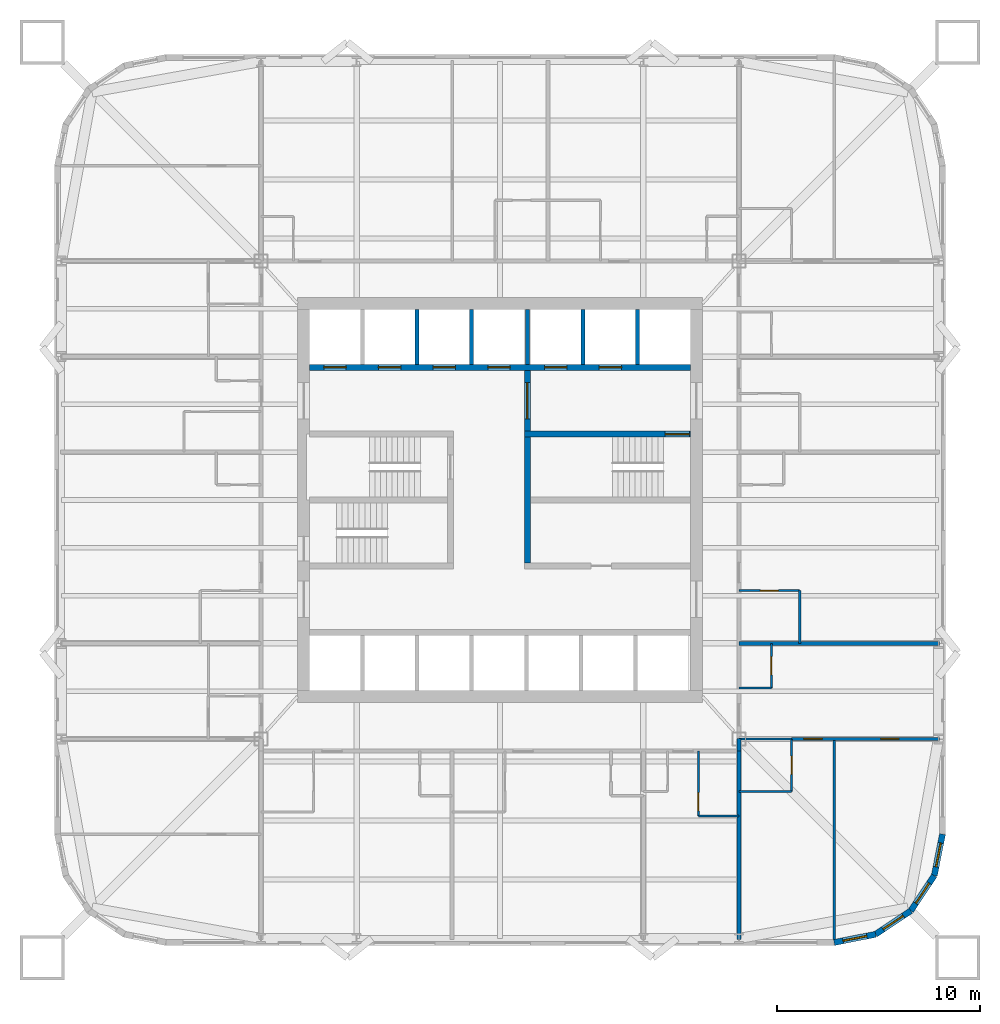
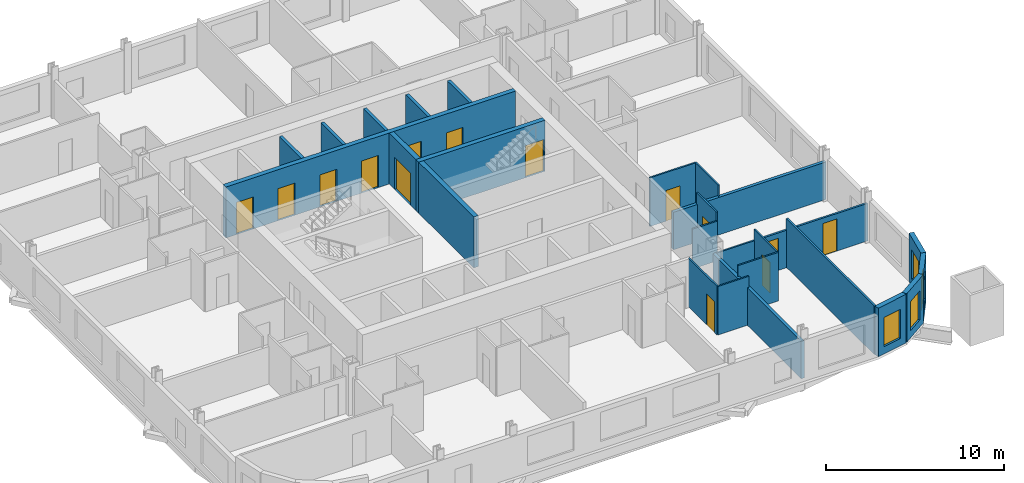
# One storey, part 5 of 9: 26 walls, 14 doors, 4 windows, 18 openings.
"""IFC4 building model written with IfcOpenShell, lengths in metres."""

from ifc_helpers import new_model, si_unit, direction, frame, frame_2d, origin, place, context, subcontext, project, spatial, rectangle, extrude, material, layer, layer_set, type_object, element, fill, save


model = new_model("IFC4")

# Units and contexts
model_context = context("Model", 3, precision=1e-05, world=origin(), true_north=direction((0.0, 1.0)))
body_context = subcontext(model_context, "Body", "Model", "MODEL_VIEW")
ifc_project = project(units=[si_unit("LENGTHUNIT", "METRE"), si_unit("AREAUNIT", "SQUARE_METRE"), si_unit("VOLUMEUNIT", "CUBIC_METRE"), si_unit("PLANEANGLEUNIT", "RADIAN"), si_unit("MASSUNIT", "GRAM", prefix="KILO")], contexts=[model_context])

# Site, building, storey
site_placement = place(None, origin())
site = spatial("IfcSite", under=ifc_project, at=site_placement, CompositionType="ELEMENT")
building_placement = place(site_placement, origin())
building = spatial("IfcBuilding", under=site, at=building_placement, Name="Turquesa Mirador Hotel Tower", CompositionType="ELEMENT")
storey_placement = place(building_placement, frame((0.0, 0.0, 67.0)))
storey = spatial("IfcBuildingStorey", under=building, at=storey_placement, Name="L17", CompositionType="ELEMENT", Elevation=67.0)

# Walls
ifc_material_1 = material(Name="Gypsum board on steel studs", Category="steel")
ifc_layer_1 = layer(ifc_material_1, 0.10009765625)
ifc_layer_set_1 = layer_set([ifc_layer_1], Name="BATHROOM WALL 100")
wall_type_1 = type_object("IfcWallType", Name="BATHROOM WALL 100", PredefinedType="PARTITIONING", material=ifc_layer_set_1)
wall_1_placement = place(storey_placement, frame((66.800048828125, 33.199951171875, 0.0), z_axis=(0.0, 0.0, 1.0), x_axis=(1.0, 0.0, 0.0)))
element("IfcWall", 1, at=wall_1_placement, inside=storey, type_object=wall_type_1, Name="Partition L17 001", PredefinedType="PARTITIONING", context=body_context, shape_type="SweptSolid", body=[
    extrude(rectangle(XDim=2.599853515625, YDim=0.10009765625, at=frame_2d((1.2998046875, 0.0))), origin(), (0.0, 0.0, 1.0), 2.572998046875),
])
wall_2_placement = place(storey_placement, frame((66.800048828125, 30.60009765625, 0.0), z_axis=(0.0, 0.0, 1.0), x_axis=(1.0, 0.0, 0.0)))
element("IfcWall", 2, at=wall_2_placement, inside=storey, type_object=wall_type_1, Name="Partition L17 006", PredefinedType="PARTITIONING", context=body_context, shape_type="SweptSolid", body=[
    extrude(rectangle(XDim=2.599853515625, YDim=0.10009765625, at=frame_2d((1.2998046875, 0.0))), origin(), (0.0, 0.0, 1.0), 3.330078125),
])
wall_3_placement = place(storey_placement, frame((64.800048828125, 29.39990234375, 0.0), z_axis=(0.0, 0.0, 1.0), x_axis=(1.0, 0.0, 0.0)))
element("IfcWall", 3, at=wall_3_placement, inside=storey, type_object=wall_type_1, Name="Partition L17 011", PredefinedType="PARTITIONING", context=body_context, shape_type="SweptSolid", body=[
    extrude(rectangle(XDim=2.0, YDim=0.10009765625, at=frame_2d((1.0, 0.0))), origin(), (0.0, 0.0, 1.0), 3.330078125),
])

# Wall, opening, door
wall_4_placement = place(storey_placement, frame((66.800048828125, 40.52001953125, 0.0), z_axis=(0.0, 0.0, 1.0), x_axis=(1.0, 0.0, 0.0)))
wall_4 = element("IfcWall", 4, at=wall_4_placement, inside=storey, type_object=wall_type_1, Name="Partition L17 014", PredefinedType="PARTITIONING", context=body_context, shape_type="SweptSolid", body=[
    extrude(rectangle(XDim=3.0, YDim=0.10009765625, at=frame_2d((1.5, 0.0))), origin(), (0.0, 0.0, 1.0), 3.330078125),
])
opening_1_placement = place(wall_4_placement, frame((1.050048828125, 0.0, 0.0)))
opening_1 = element("IfcOpeningElement", 5, at=opening_1_placement, cuts=wall_4, Name="Opening D02", PredefinedType="OPENING", context=body_context, shape_type="SweptSolid", body=[
    extrude(rectangle(XDim=0.89990234375, YDim=2.10009765625, at=frame_2d((0.449951171875, 1.050048828125))), frame((0.0, 0.06005859375, 0.0), z_axis=(0.0, -1.0, 0.0), x_axis=(1.0, 0.0, 0.0)), (0.0, 0.0, 1.0), 0.1201171875),
])
ifc_material_2 = material(Name="Timber veneered door", Category="wood")
door_type_1 = type_object("IfcDoorType", Name="DOOR 900X2100 EN-SUITE", OperationType="SINGLE_SWING_RIGHT", PredefinedType="DOOR", material=ifc_material_2)
door_1_placement = place(opening_1_placement, origin())
door_1 = element("IfcDoor", 6, at=door_1_placement, inside=storey, type_object=door_type_1, Name="Door 1706B", OperationType="SINGLE_SWING_RIGHT", OverallHeight=2.10009765625, OverallWidth=0.89990234375, PredefinedType="DOOR", context=body_context, shape_type="SweptSolid", body=[
    extrude(rectangle(XDim=0.89990234375, YDim=2.10009765625, at=frame_2d((0.449951171875, 1.050048828125))), frame((0.0, 0.02490234375, 0.0), z_axis=(0.0, -1.0, 0.0), x_axis=(1.0, 0.0, 0.0)), (0.0, 0.0, 1.0), 0.050048828125),
])
fill(opening_1, door_1)

# Wall
wall_5_placement = place(storey_placement, frame((66.800048828125, 35.719970703125, 0.0), z_axis=(0.0, 0.0, 1.0), x_axis=(1.0, 0.0, 0.0)))
element("IfcWall", 7, at=wall_5_placement, inside=storey, type_object=wall_type_1, Name="Partition L17 017", PredefinedType="PARTITIONING", context=body_context, shape_type="SweptSolid", body=[
    extrude(rectangle(XDim=1.599853515625, YDim=0.10009765625, at=frame_2d((0.7998046875, 0.0))), origin(), (0.0, 0.0, 1.0), 2.722900390625),
])

# Wall, opening, door
wall_6_placement = place(storey_placement, frame((68.39990234375, 35.719970703125, 0.0), z_axis=(0.0, 0.0, 1.0), x_axis=(0.0, 1.0, 0.0)))
wall_6 = element("IfcWall", 8, at=wall_6_placement, inside=storey, type_object=wall_type_1, Name="Partition L17 061", PredefinedType="PARTITIONING", context=body_context, shape_type="SweptSolid", body=[
    extrude(rectangle(XDim=2.199951171875, YDim=0.10009765625, at=frame_2d((1.10009765625, 0.0))), origin(), (0.0, 0.0, 1.0), 3.330078125),
])
opening_2_placement = place(wall_6_placement, frame((0.64990234375, 0.0, 0.0)))
opening_2 = element("IfcOpeningElement", 9, at=opening_2_placement, cuts=wall_6, Name="Opening D06", PredefinedType="OPENING", context=body_context, shape_type="SweptSolid", body=[
    extrude(rectangle(XDim=0.89990234375, YDim=2.10009765625, at=frame_2d((0.449951171875, 1.050048828125))), frame((0.0, 0.06005859375, 0.0), z_axis=(0.0, -1.0, 0.0), x_axis=(1.0, 0.0, 0.0)), (0.0, 0.0, 1.0), 0.1201171875),
])
ifc_material_3 = material(Name="Laminate door", Category="wood")
door_type_2 = type_object("IfcDoorType", Name="DOOR 900X2100 WC", OperationType="SINGLE_SWING_LEFT", PredefinedType="DOOR", material=ifc_material_3)
door_2_placement = place(opening_2_placement, origin())
door_2 = element("IfcDoor", 10, at=door_2_placement, inside=storey, type_object=door_type_2, Name="Door 1713W", OperationType="SINGLE_SWING_LEFT", OverallHeight=2.10009765625, OverallWidth=0.89990234375, PredefinedType="DOOR", context=body_context, shape_type="SweptSolid", body=[
    extrude(rectangle(XDim=0.89990234375, YDim=2.10009765625, at=frame_2d((0.449951171875, 1.050048828125))), frame((0.0, 0.02490234375, 0.0), z_axis=(0.0, -1.0, 0.0), x_axis=(1.0, 0.0, 0.0)), (0.0, 0.0, 1.0), 0.050048828125),
])
fill(opening_2, door_2)

wall_7_placement = place(storey_placement, frame((69.39990234375, 30.60009765625, 0.0), z_axis=(0.0, 0.0, 1.0), x_axis=(0.0, 1.0, 0.0)))
wall_7 = element("IfcWall", 11, at=wall_7_placement, inside=storey, type_object=wall_type_1, Name="Partition L17 064", PredefinedType="PARTITIONING", context=body_context, shape_type="SweptSolid", body=[
    extrude(rectangle(XDim=2.599853515625, YDim=0.10009765625, at=frame_2d((1.2998046875, 0.0))), origin(), (0.0, 0.0, 1.0), 3.330078125),
])
opening_3_placement = place(wall_7_placement, frame((0.85009765625, 0.0, 0.0)))
opening_3 = element("IfcOpeningElement", 12, at=opening_3_placement, cuts=wall_7, Name="Opening D02", PredefinedType="OPENING", context=body_context, shape_type="SweptSolid", body=[
    extrude(rectangle(XDim=0.89990234375, YDim=2.10009765625, at=frame_2d((0.449951171875, 1.050048828125))), frame((0.0, 0.06005859375, 0.0), z_axis=(0.0, -1.0, 0.0), x_axis=(1.0, 0.0, 0.0)), (0.0, 0.0, 1.0), 0.1201171875),
])
door_3_placement = place(opening_3_placement, origin())
door_3 = element("IfcDoor", 13, at=door_3_placement, inside=storey, type_object=door_type_1, Name="Door 1713B", OperationType="SINGLE_SWING_RIGHT", OverallHeight=2.10009765625, OverallWidth=0.89990234375, PredefinedType="DOOR", context=body_context, shape_type="SweptSolid", body=[
    extrude(rectangle(XDim=0.89990234375, YDim=2.10009765625, at=frame_2d((0.449951171875, 1.050048828125))), frame((0.0, 0.02490234375, 0.0), z_axis=(0.0, -1.0, 0.0), x_axis=(1.0, 0.0, 0.0)), (0.0, 0.0, 1.0), 0.050048828125),
])
fill(opening_3, door_3)

# Wall
wall_8_placement = place(storey_placement, frame((69.800048828125, 37.919921875, 0.0), z_axis=(0.0, 0.0, 1.0), x_axis=(0.0, 1.0, 0.0)))
element("IfcWall", 14, at=wall_8_placement, inside=storey, type_object=wall_type_1, Name="Partition L17 066", PredefinedType="PARTITIONING", context=body_context, shape_type="SweptSolid", body=[
    extrude(rectangle(XDim=2.60009765625, YDim=0.10009765625, at=frame_2d((1.300048828125, 0.0))), origin(), (0.0, 0.0, 1.0), 3.330078125),
])

# Wall, opening, door
wall_9_placement = place(storey_placement, frame((64.800048828125, 29.39990234375, 0.0), z_axis=(0.0, 0.0, 1.0), x_axis=(0.0, 1.0, 0.0)))
wall_9 = element("IfcWall", 15, at=wall_9_placement, inside=storey, type_object=wall_type_1, Name="Partition L17 076", PredefinedType="PARTITIONING", context=body_context, shape_type="SweptSolid", body=[
    extrude(rectangle(XDim=3.2001953125, YDim=0.10009765625, at=frame_2d((1.60009765625, 0.0))), origin(), (0.0, 0.0, 1.0), 3.330078125),
])
opening_4_placement = place(wall_9_placement, frame((0.25, 0.0, 0.0)))
opening_4 = element("IfcOpeningElement", 16, at=opening_4_placement, cuts=wall_9, Name="Opening D02", PredefinedType="OPENING", context=body_context, shape_type="SweptSolid", body=[
    extrude(rectangle(XDim=0.89990234375, YDim=2.10009765625, at=frame_2d((0.449951171875, 1.050048828125))), frame((0.0, 0.06005859375, 0.0), z_axis=(0.0, -1.0, 0.0), x_axis=(1.0, 0.0, 0.0)), (0.0, 0.0, 1.0), 0.1201171875),
])
door_4_placement = place(opening_4_placement, origin())
door_4 = element("IfcDoor", 17, at=door_4_placement, inside=storey, type_object=door_type_1, Name="Door 1705B", OperationType="SINGLE_SWING_RIGHT", OverallHeight=2.10009765625, OverallWidth=0.89990234375, PredefinedType="DOOR", context=body_context, shape_type="SweptSolid", body=[
    extrude(rectangle(XDim=0.89990234375, YDim=2.10009765625, at=frame_2d((0.449951171875, 1.050048828125))), frame((0.0, 0.02490234375, 0.0), z_axis=(0.0, -1.0, 0.0), x_axis=(1.0, 0.0, 0.0)), (0.0, 0.0, 1.0), 0.050048828125),
])
fill(opening_4, door_4)

# Wall, openings, doors
ifc_material_4 = material(Name="Concrete C50/60", Category="concrete")
ifc_layer_2 = layer(ifc_material_4, 0.300048828125)
ifc_layer_set_2 = layer_set([ifc_layer_2], Name="CORE INNER WALL 300")
wall_type_2 = type_object("IfcWallType", Name="CORE INNER WALL 300", PredefinedType="SHEAR", material=ifc_layer_set_2)
wall_10_placement = place(storey_placement, frame((45.60009765625, 51.550048828125, 0.0), z_axis=(0.0, 0.0, 1.0), x_axis=(1.0, 0.0, 0.0)))
wall_10 = element("IfcWall", 18, at=wall_10_placement, inside=storey, type_object=wall_type_2, Name="Core wall NL", PredefinedType="SHEAR", context=body_context, shape_type="SweptSolid", body=[
    extrude(rectangle(XDim=18.7998046875, YDim=0.300048828125, at=frame_2d((9.39990234375, 0.0))), origin(), (0.0, 0.0, 1.0), 3.5),
])
opening_5_placement = place(wall_10_placement, frame((0.699951171875, 0.0, 0.0)))
opening_5 = element("IfcOpeningElement", 19, at=opening_5_placement, cuts=wall_10, Name="Opening LD", PredefinedType="OPENING", context=body_context, shape_type="SweptSolid", body=[
    extrude(rectangle(XDim=1.10009765625, YDim=2.199951171875, at=frame_2d((0.550048828125, 1.10009765625))), frame((0.0, 0.159912109375, 0.0), z_axis=(0.0, -1.0, 0.0), x_axis=(1.0, 0.0, 0.0)), (0.0, 0.0, 1.0), 0.320068359375),
])
opening_6_placement = place(wall_10_placement, frame((3.39990234375, 0.0, 0.0)))
opening_6 = element("IfcOpeningElement", 20, at=opening_6_placement, cuts=wall_10, Name="Opening LD", PredefinedType="OPENING", context=body_context, shape_type="SweptSolid", body=[
    extrude(rectangle(XDim=1.10009765625, YDim=2.199951171875, at=frame_2d((0.550048828125, 1.10009765625))), frame((0.0, 0.159912109375, 0.0), z_axis=(0.0, -1.0, 0.0), x_axis=(1.0, 0.0, 0.0)), (0.0, 0.0, 1.0), 0.320068359375),
])
opening_7_placement = place(wall_10_placement, frame((6.10009765625, 0.0, 0.0)))
opening_7 = element("IfcOpeningElement", 21, at=opening_7_placement, cuts=wall_10, Name="Opening LD", PredefinedType="OPENING", context=body_context, shape_type="SweptSolid", body=[
    extrude(rectangle(XDim=1.10009765625, YDim=2.199951171875, at=frame_2d((0.550048828125, 1.10009765625))), frame((0.0, 0.159912109375, 0.0), z_axis=(0.0, -1.0, 0.0), x_axis=(1.0, 0.0, 0.0)), (0.0, 0.0, 1.0), 0.320068359375),
])
opening_8_placement = place(wall_10_placement, frame((8.800048828125, 0.0, 0.0)))
opening_8 = element("IfcOpeningElement", 22, at=opening_8_placement, cuts=wall_10, Name="Opening LD", PredefinedType="OPENING", context=body_context, shape_type="SweptSolid", body=[
    extrude(rectangle(XDim=1.10009765625, YDim=2.199951171875, at=frame_2d((0.550048828125, 1.10009765625))), frame((0.0, 0.159912109375, 0.0), z_axis=(0.0, -1.0, 0.0), x_axis=(1.0, 0.0, 0.0)), (0.0, 0.0, 1.0), 0.320068359375),
])
opening_9_placement = place(wall_10_placement, frame((11.60009765625, 0.0, 0.0)))
opening_9 = element("IfcOpeningElement", 23, at=opening_9_placement, cuts=wall_10, Name="Opening LD", PredefinedType="OPENING", context=body_context, shape_type="SweptSolid", body=[
    extrude(rectangle(XDim=1.10009765625, YDim=2.199951171875, at=frame_2d((0.550048828125, 1.10009765625))), frame((0.0, 0.159912109375, 0.0), z_axis=(0.0, -1.0, 0.0), x_axis=(1.0, 0.0, 0.0)), (0.0, 0.0, 1.0), 0.320068359375),
])
opening_10_placement = place(wall_10_placement, frame((14.300048828125, 0.0, 0.0)))
opening_10 = element("IfcOpeningElement", 24, at=opening_10_placement, cuts=wall_10, Name="Opening LD", PredefinedType="OPENING", context=body_context, shape_type="SweptSolid", body=[
    extrude(rectangle(XDim=1.10009765625, YDim=2.199951171875, at=frame_2d((0.550048828125, 1.10009765625))), frame((0.0, 0.159912109375, 0.0), z_axis=(0.0, -1.0, 0.0), x_axis=(1.0, 0.0, 0.0)), (0.0, 0.0, 1.0), 0.320068359375),
])
ifc_material_5 = material(Name="Stainless steel lift landing door", Category="steel")
door_type_3 = type_object("IfcDoorType", Name="LIFT LANDING DOOR 1100X2200", OperationType="SLIDING_TO_LEFT", PredefinedType="DOOR", material=ifc_material_5)
door_5_placement = place(opening_5_placement, origin())
door_5 = element("IfcDoor", 25, at=door_5_placement, inside=storey, type_object=door_type_3, Name="Lift A1 landing door", OperationType="SLIDING_TO_LEFT", OverallHeight=2.199951171875, OverallWidth=1.10009765625, PredefinedType="DOOR", context=body_context, shape_type="SweptSolid", body=[
    extrude(rectangle(XDim=1.10009765625, YDim=2.199951171875, at=frame_2d((0.550048828125, 1.10009765625))), frame((0.0, 0.02490234375, 0.0), z_axis=(0.0, -1.0, 0.0), x_axis=(1.0, 0.0, 0.0)), (0.0, 0.0, 1.0), 0.050048828125),
])
fill(opening_5, door_5)
door_6_placement = place(opening_6_placement, origin())
door_6 = element("IfcDoor", 26, at=door_6_placement, inside=storey, type_object=door_type_3, Name="Lift A2 landing door", OperationType="SLIDING_TO_LEFT", OverallHeight=2.199951171875, OverallWidth=1.10009765625, PredefinedType="DOOR", context=body_context, shape_type="SweptSolid", body=[
    extrude(rectangle(XDim=1.10009765625, YDim=2.199951171875, at=frame_2d((0.550048828125, 1.10009765625))), frame((0.0, 0.02490234375, 0.0), z_axis=(0.0, -1.0, 0.0), x_axis=(1.0, 0.0, 0.0)), (0.0, 0.0, 1.0), 0.050048828125),
])
fill(opening_6, door_6)
door_7_placement = place(opening_7_placement, origin())
door_7 = element("IfcDoor", 27, at=door_7_placement, inside=storey, type_object=door_type_3, Name="Lift A3 landing door", OperationType="SLIDING_TO_LEFT", OverallHeight=2.199951171875, OverallWidth=1.10009765625, PredefinedType="DOOR", context=body_context, shape_type="SweptSolid", body=[
    extrude(rectangle(XDim=1.10009765625, YDim=2.199951171875, at=frame_2d((0.550048828125, 1.10009765625))), frame((0.0, 0.02490234375, 0.0), z_axis=(0.0, -1.0, 0.0), x_axis=(1.0, 0.0, 0.0)), (0.0, 0.0, 1.0), 0.050048828125),
])
fill(opening_7, door_7)
door_8_placement = place(opening_8_placement, origin())
door_8 = element("IfcDoor", 28, at=door_8_placement, inside=storey, type_object=door_type_3, Name="Lift A4 landing door", OperationType="SLIDING_TO_LEFT", OverallHeight=2.199951171875, OverallWidth=1.10009765625, PredefinedType="DOOR", context=body_context, shape_type="SweptSolid", body=[
    extrude(rectangle(XDim=1.10009765625, YDim=2.199951171875, at=frame_2d((0.550048828125, 1.10009765625))), frame((0.0, 0.02490234375, 0.0), z_axis=(0.0, -1.0, 0.0), x_axis=(1.0, 0.0, 0.0)), (0.0, 0.0, 1.0), 0.050048828125),
])
fill(opening_8, door_8)
door_9_placement = place(opening_9_placement, origin())
door_9 = element("IfcDoor", 29, at=door_9_placement, inside=storey, type_object=door_type_3, Name="Lift S1 landing door", OperationType="SLIDING_TO_LEFT", OverallHeight=2.199951171875, OverallWidth=1.10009765625, PredefinedType="DOOR", context=body_context, shape_type="SweptSolid", body=[
    extrude(rectangle(XDim=1.10009765625, YDim=2.199951171875, at=frame_2d((0.550048828125, 1.10009765625))), frame((0.0, 0.02490234375, 0.0), z_axis=(0.0, -1.0, 0.0), x_axis=(1.0, 0.0, 0.0)), (0.0, 0.0, 1.0), 0.050048828125),
])
fill(opening_9, door_9)
door_10_placement = place(opening_10_placement, origin())
door_10 = element("IfcDoor", 30, at=door_10_placement, inside=storey, type_object=door_type_3, Name="Lift S2 landing door", OperationType="SLIDING_TO_LEFT", OverallHeight=2.199951171875, OverallWidth=1.10009765625, PredefinedType="DOOR", context=body_context, shape_type="SweptSolid", body=[
    extrude(rectangle(XDim=1.10009765625, YDim=2.199951171875, at=frame_2d((0.550048828125, 1.10009765625))), frame((0.0, 0.02490234375, 0.0), z_axis=(0.0, -1.0, 0.0), x_axis=(1.0, 0.0, 0.0)), (0.0, 0.0, 1.0), 0.050048828125),
])
fill(opening_10, door_10)

# Wall, opening, door
wall_11_placement = place(storey_placement, frame((56.199951171875, 48.25, 0.0), z_axis=(0.0, 0.0, 1.0), x_axis=(1.0, 0.0, 0.0)))
wall_11 = element("IfcWall", 31, at=wall_11_placement, inside=storey, type_object=wall_type_2, Name="Core wall MN-E", PredefinedType="SHEAR", context=body_context, shape_type="SweptSolid", body=[
    extrude(rectangle(XDim=8.199951171875, YDim=0.300048828125, at=frame_2d((4.10009765625, 0.0))), origin(), (0.0, 0.0, 1.0), 3.5),
])
opening_11_placement = place(wall_11_placement, frame((6.949951171875, 0.0, 0.0)))
opening_11 = element("IfcOpeningElement", 32, at=opening_11_placement, cuts=wall_11, Name="Opening D03", PredefinedType="OPENING", context=body_context, shape_type="SweptSolid", body=[
    extrude(rectangle(XDim=1.199951171875, YDim=2.199951171875, at=frame_2d((0.60009765625, 1.10009765625))), frame((0.0, 0.159912109375, 0.0), z_axis=(0.0, -1.0, 0.0), x_axis=(1.0, 0.0, 0.0)), (0.0, 0.0, 1.0), 0.320068359375),
])
ifc_material_6 = material(Name="Steel fire door", Category="steel")
door_type_4 = type_object("IfcDoorType", Name="DOOR 1200X2200 STAIR", OperationType="SINGLE_SWING_LEFT", PredefinedType="DOOR", material=ifc_material_6)
door_11_placement = place(opening_11_placement, origin())
door_11 = element("IfcDoor", 33, at=door_11_placement, inside=storey, type_object=door_type_4, Name="Stair ST3 door", OperationType="SINGLE_SWING_LEFT", OverallHeight=2.199951171875, OverallWidth=1.199951171875, PredefinedType="DOOR", context=body_context, shape_type="SweptSolid", body=[
    extrude(rectangle(XDim=1.199951171875, YDim=2.199951171875, at=frame_2d((0.60009765625, 1.10009765625))), frame((0.0, 0.02490234375, 0.0), z_axis=(0.0, -1.0, 0.0), x_axis=(1.0, 0.0, 0.0)), (0.0, 0.0, 1.0), 0.050048828125),
])
fill(opening_11, door_11)

wall_12_placement = place(storey_placement, frame((56.35009765625, 41.89990234375, 0.0), z_axis=(0.0, 0.0, 1.0), x_axis=(0.0, 1.0, 0.0)))
wall_12 = element("IfcWall", 34, at=wall_12_placement, inside=storey, type_object=wall_type_2, Name="Core wall PE", PredefinedType="SHEAR", context=body_context, shape_type="SweptSolid", body=[
    extrude(rectangle(XDim=9.5, YDim=0.300048828125, at=frame_2d((4.75, 0.0))), origin(), (0.0, 0.0, 1.0), 3.5),
])
opening_12_placement = place(wall_12_placement, frame((7.10009765625, 0.0, 0.0)))
opening_12 = element("IfcOpeningElement", 35, at=opening_12_placement, cuts=wall_12, Name="Opening D04", PredefinedType="OPENING", context=body_context, shape_type="SweptSolid", body=[
    extrude(rectangle(XDim=1.800048828125, YDim=2.199951171875, at=frame_2d((0.89990234375, 1.10009765625))), frame((0.0, 0.159912109375, 0.0), z_axis=(0.0, -1.0, 0.0), x_axis=(1.0, 0.0, 0.0)), (0.0, 0.0, 1.0), 0.320068359375),
])
ifc_material_7 = material(Name="Steel fire door pair", Category="steel")
door_type_5 = type_object("IfcDoorType", Name="DOOR 1800X2200 PAIR", OperationType="DOUBLE_DOOR_SINGLE_SWING", PredefinedType="DOOR", material=ifc_material_7)
door_12_placement = place(opening_12_placement, origin())
door_12 = element("IfcDoor", 36, at=door_12_placement, inside=storey, type_object=door_type_5, Name="Firefighting lobby inner door", OperationType="DOUBLE_DOOR_SINGLE_SWING", OverallHeight=2.199951171875, OverallWidth=1.800048828125, PredefinedType="DOOR", context=body_context, shape_type="SweptSolid", body=[
    extrude(rectangle(XDim=1.800048828125, YDim=2.199951171875, at=frame_2d((0.89990234375, 1.10009765625))), frame((0.0, 0.02490234375, 0.0), z_axis=(0.0, -1.0, 0.0), x_axis=(1.0, 0.0, 0.0)), (0.0, 0.0, 1.0), 0.050048828125),
])
fill(opening_12, door_12)

# Wall
ifc_material_8 = material(Name="Fire-rated gypsum board on steel studs", Category="steel")
ifc_layer_3 = layer(ifc_material_8, 0.199951171875)
ifc_layer_set_3 = layer_set([ifc_layer_3], Name="CORRIDOR WALL 200")
wall_type_3 = type_object("IfcWallType", Name="CORRIDOR WALL 200", PredefinedType="PARTITIONING", material=ifc_layer_set_3)
wall_13_placement = place(storey_placement, frame((66.800048828125, 32.60009765625, 0.0), z_axis=(0.0, 0.0, 1.0), x_axis=(0.0, 1.0, 0.0)))
element("IfcWall", 37, at=wall_13_placement, inside=storey, type_object=wall_type_3, Name="Partition L17 078", PredefinedType="PARTITIONING", context=body_context, shape_type="SweptSolid", body=[
    extrude(rectangle(XDim=0.619873046875, YDim=0.199951171875, at=frame_2d((0.31005859375, 0.0))), origin(), (0.0, 0.0, 1.0), 2.572998046875),
])

# Wall, opening, window
ifc_material_9 = material(Name="Limestone cladding on concrete block", Category="masonry")
ifc_layer_4 = layer(ifc_material_9, 0.300048828125)
ifc_layer_set_4 = layer_set([ifc_layer_4], Name="FACADE WALL 300 STONE SCREEN")
wall_type_4 = type_object("IfcWallType", Name="FACADE WALL 300 STONE SCREEN", PredefinedType="SOLIDWALL", material=ifc_layer_set_4)
wall_14_placement = place(storey_placement, frame((71.5, 23.14990234375, 0.0), z_axis=(0.0, 0.0, 1.0), x_axis=(0.980787050784, 0.195081421501, 0.0)))
wall_14 = element("IfcWall", 38, at=wall_14_placement, inside=storey, type_object=wall_type_4, Name="Facade wall L17 00", PredefinedType="SOLIDWALL", context=body_context, shape_type="SweptSolid", body=[
    extrude(rectangle(XDim=2.08740234375, YDim=0.300048828125, at=frame_2d((1.043701171875, 0.0))), origin(), (0.0, 0.0, 1.0), 3.330078125),
])
opening_13_placement = place(wall_14_placement, frame((0.443603515625, 0.0, 0.5)))
opening_13 = element("IfcOpeningElement", 39, at=opening_13_placement, cuts=wall_14, Name="Opening WN4", PredefinedType="OPENING", context=body_context, shape_type="SweptSolid", body=[
    extrude(rectangle(XDim=1.199951171875, YDim=2.0, at=frame_2d((0.60009765625, 1.0))), frame((0.0, 0.159912109375, 0.0), z_axis=(0.0, -1.0, 0.0), x_axis=(1.0, 0.0, 0.0)), (0.0, 0.0, 1.0), 0.320068359375),
])
ifc_material_10 = material(Name="Ceramic-fritted laminated glass", Category="glass")
window_type = type_object("IfcWindowType", Name="FRITTED CORNER WINDOW 1200X2000", PartitioningType="DOUBLE_PANEL_HORIZONTAL", PredefinedType="WINDOW", material=ifc_material_10)
window_1_placement = place(opening_13_placement, origin())
window_1 = element("IfcWindow", 40, at=window_1_placement, inside=storey, type_object=window_type, Name="Window L17", OverallHeight=2.0, OverallWidth=1.199951171875, PartitioningType="SINGLE_PANEL", PredefinedType="WINDOW", context=body_context, shape_type="SweptSolid", body=[
    extrude(rectangle(XDim=1.199951171875, YDim=2.0, at=frame_2d((0.60009765625, 1.0))), frame((0.0, 0.030029296875, 0.0), z_axis=(0.0, -1.0, 0.0), x_axis=(1.0, 0.0, 0.0)), (0.0, 0.0, 1.0), 0.06005859375),
])
fill(opening_13, window_1)

wall_15_placement = place(storey_placement, frame((73.54736328125, 23.55712890625, 0.0), z_axis=(0.0, 0.0, 1.0), x_axis=(0.831420010345, 0.555644460423, 0.0)))
wall_15 = element("IfcWall", 41, at=wall_15_placement, inside=storey, type_object=wall_type_4, Name="Facade wall L17 01", PredefinedType="SOLIDWALL", context=body_context, shape_type="SweptSolid", body=[
    extrude(rectangle(XDim=2.08740234375, YDim=0.300048828125, at=frame_2d((1.043701171875, 0.0))), origin(), (0.0, 0.0, 1.0), 3.330078125),
])
opening_14_placement = place(wall_15_placement, frame((0.443603515625, 0.0, 0.5)))
opening_14 = element("IfcOpeningElement", 42, at=opening_14_placement, cuts=wall_15, Name="Opening WN4", PredefinedType="OPENING", context=body_context, shape_type="SweptSolid", body=[
    extrude(rectangle(XDim=1.199951171875, YDim=2.0, at=frame_2d((0.60009765625, 1.0))), frame((0.0, 0.159912109375, 0.0), z_axis=(0.0, -1.0, 0.0), x_axis=(1.0, 0.0, 0.0)), (0.0, 0.0, 1.0), 0.320068359375),
])
window_2_placement = place(opening_14_placement, origin())
window_2 = element("IfcWindow", 43, at=window_2_placement, inside=storey, type_object=window_type, Name="Window L17", OverallHeight=2.0, OverallWidth=1.199951171875, PartitioningType="SINGLE_PANEL", PredefinedType="WINDOW", context=body_context, shape_type="SweptSolid", body=[
    extrude(rectangle(XDim=1.199951171875, YDim=2.0, at=frame_2d((0.60009765625, 1.0))), frame((0.0, 0.030029296875, 0.0), z_axis=(0.0, -1.0, 0.0), x_axis=(1.0, 0.0, 0.0)), (0.0, 0.0, 1.0), 0.06005859375),
])
fill(opening_14, window_2)

wall_16_placement = place(storey_placement, frame((75.282958984375, 24.717041015625, 0.0), z_axis=(0.0, 0.0, 1.0), x_axis=(0.555644460423, 0.831420010345, 0.0)))
wall_16 = element("IfcWall", 44, at=wall_16_placement, inside=storey, type_object=wall_type_4, Name="Facade wall L17 02", PredefinedType="SOLIDWALL", context=body_context, shape_type="SweptSolid", body=[
    extrude(rectangle(XDim=2.08740234375, YDim=0.300048828125, at=frame_2d((1.043701171875, 0.0))), origin(), (0.0, 0.0, 1.0), 3.330078125),
])
opening_15_placement = place(wall_16_placement, frame((0.443603515625, 0.0, 0.5)))
opening_15 = element("IfcOpeningElement", 45, at=opening_15_placement, cuts=wall_16, Name="Opening WN4", PredefinedType="OPENING", context=body_context, shape_type="SweptSolid", body=[
    extrude(rectangle(XDim=1.199951171875, YDim=2.0, at=frame_2d((0.60009765625, 1.0))), frame((0.0, 0.159912109375, 0.0), z_axis=(0.0, -1.0, 0.0), x_axis=(1.0, 0.0, 0.0)), (0.0, 0.0, 1.0), 0.320068359375),
])
window_3_placement = place(opening_15_placement, origin())
window_3 = element("IfcWindow", 46, at=window_3_placement, inside=storey, type_object=window_type, Name="Window L17", OverallHeight=2.0, OverallWidth=1.199951171875, PartitioningType="SINGLE_PANEL", PredefinedType="WINDOW", context=body_context, shape_type="SweptSolid", body=[
    extrude(rectangle(XDim=1.199951171875, YDim=2.0, at=frame_2d((0.60009765625, 1.0))), frame((0.0, 0.030029296875, 0.0), z_axis=(0.0, -1.0, 0.0), x_axis=(1.0, 0.0, 0.0)), (0.0, 0.0, 1.0), 0.06005859375),
])
fill(opening_15, window_3)

wall_17_placement = place(storey_placement, frame((76.44287109375, 26.45263671875, 0.0), z_axis=(0.0, 0.0, 1.0), x_axis=(0.195081421501, 0.980787050784, 0.0)))
wall_17 = element("IfcWall", 47, at=wall_17_placement, inside=storey, type_object=wall_type_4, Name="Facade wall L17 03", PredefinedType="SOLIDWALL", context=body_context, shape_type="SweptSolid", body=[
    extrude(rectangle(XDim=2.08740234375, YDim=0.300048828125, at=frame_2d((1.043701171875, 0.0))), origin(), (0.0, 0.0, 1.0), 3.330078125),
])
opening_16_placement = place(wall_17_placement, frame((0.443603515625, 0.0, 0.5)))
opening_16 = element("IfcOpeningElement", 48, at=opening_16_placement, cuts=wall_17, Name="Opening WN4", PredefinedType="OPENING", context=body_context, shape_type="SweptSolid", body=[
    extrude(rectangle(XDim=1.199951171875, YDim=2.0, at=frame_2d((0.60009765625, 1.0))), frame((0.0, 0.159912109375, 0.0), z_axis=(0.0, -1.0, 0.0), x_axis=(1.0, 0.0, 0.0)), (0.0, 0.0, 1.0), 0.320068359375),
])
window_4_placement = place(opening_16_placement, origin())
window_4 = element("IfcWindow", 49, at=window_4_placement, inside=storey, type_object=window_type, Name="Window L17", OverallHeight=2.0, OverallWidth=1.199951171875, PartitioningType="SINGLE_PANEL", PredefinedType="WINDOW", context=body_context, shape_type="SweptSolid", body=[
    extrude(rectangle(XDim=1.199951171875, YDim=2.0, at=frame_2d((0.60009765625, 1.0))), frame((0.0, 0.030029296875, 0.0), z_axis=(0.0, -1.0, 0.0), x_axis=(1.0, 0.0, 0.0)), (0.0, 0.0, 1.0), 0.06005859375),
])
fill(opening_16, window_4)

# Walls
ifc_material_11 = material(Name="Fire-rated gypsum shaft wall on steel studs", Category="steel")
ifc_layer_5 = layer(ifc_material_11, 0.199951171875)
ifc_layer_set_5 = layer_set([ifc_layer_5], Name="LIFT SHAFT DIVIDER 200")
wall_type_5 = type_object("IfcWallType", Name="LIFT SHAFT DIVIDER 200", PredefinedType="PARTITIONING", material=ifc_layer_set_5)
for number, where, z_axis, x_axis, name in (
    (50, (50.89990234375, 51.699951171875, 0.0), (0.0, 0.0, 1.0), (0.0, 1.0, 0.0), "Lift shaft divider"),
    (51, (53.60009765625, 51.699951171875, 0.0), (0.0, 0.0, 1.0), (0.0, 1.0, 0.0), "Lift shaft divider"),
    (52, (59.10009765625, 51.699951171875, 0.0), (0.0, 0.0, 1.0), (0.0, 1.0, 0.0), "Lift shaft divider"),
    (53, (61.800048828125, 51.699951171875, 0.0), (0.0, 0.0, 1.0), (0.0, 1.0, 0.0), "Lift shaft divider"),
    (54, (56.35009765625, 51.699951171875, 0.0), (0.0, 0.0, 1.0), (0.0, 1.0, 0.0), "Lift shaft divider"),
):
    element("IfcWall", number, at=place(storey_placement, frame(where, z_axis=z_axis, x_axis=x_axis)), inside=storey, type_object=wall_type_5, Name=name, PredefinedType="PARTITIONING", context=body_context, shape_type="SweptSolid", body=[
        extrude(rectangle(XDim=2.699951171875, YDim=0.199951171875, at=frame_2d((1.35009765625, 0.0))), origin(), (0.0, 0.0, 1.0), 3.330078125),
    ])
ifc_material_12 = material(Name="Fire-rated gypsum board on steel studs", Category="steel")
ifc_layer_6 = layer(ifc_material_12, 0.199951171875)
ifc_layer_set_6 = layer_set([ifc_layer_6], Name="PARTY WALL 200")
wall_type_6 = type_object("IfcWallType", Name="PARTY WALL 200", PredefinedType="PARTITIONING", material=ifc_layer_set_6)
wall_18_placement = place(storey_placement, frame((66.800048828125, 37.919921875, 0.0), z_axis=(0.0, 0.0, 1.0), x_axis=(1.0, 0.0, 0.0)))
element("IfcWall", 55, at=wall_18_placement, inside=storey, type_object=wall_type_6, Name="Partition L17 016", PredefinedType="PARTITIONING", context=body_context, shape_type="SweptSolid", body=[
    extrude(rectangle(XDim=9.89990234375, YDim=0.199951171875, at=frame_2d((4.949951171875, 0.0))), origin(), (0.0, 0.0, 1.0), 2.572998046875),
])
wall_19_placement = place(storey_placement, frame((66.800048828125, 23.300048828125, 0.0), z_axis=(0.0, 0.0, 1.0), x_axis=(0.0, 1.0, 0.0)))
element("IfcWall", 56, at=wall_19_placement, inside=storey, type_object=wall_type_6, Name="Partition L17 059", PredefinedType="PARTITIONING", context=body_context, shape_type="SweptSolid", body=[
    extrude(rectangle(XDim=9.300048828125, YDim=0.199951171875, at=frame_2d((4.64990234375, 0.0))), origin(), (0.0, 0.0, 1.0), 2.572998046875),
])

# Wall, openings, doors
ifc_material_13 = material(Name="Acoustic gypsum board on steel studs", Category="steel")
ifc_layer_7 = layer(ifc_material_13, 0.125)
ifc_layer_set_7 = layer_set([ifc_layer_7], Name="SUITE PARTITION 125")
wall_type_7 = type_object("IfcWallType", Name="SUITE PARTITION 125", PredefinedType="PARTITIONING", material=ifc_layer_set_7)
wall_20_placement = place(storey_placement, frame((69.39990234375, 33.199951171875, 0.0), z_axis=(0.0, 0.0, 1.0), x_axis=(1.0, 0.0, 0.0)))
wall_20 = element("IfcWall", 57, at=wall_20_placement, inside=storey, type_object=wall_type_7, Name="Partition L17 003", PredefinedType="PARTITIONING", context=body_context, shape_type="SweptSolid", body=[
    extrude(rectangle(XDim=7.300048828125, YDim=0.125, at=frame_2d((3.64990234375, 0.0))), origin(), (0.0, 0.0, 1.0), 2.572998046875),
])
opening_17_placement = place(wall_20_placement, frame((0.60009765625, 0.0, 0.0)))
opening_17 = element("IfcOpeningElement", 58, at=opening_17_placement, cuts=wall_20, Name="Opening D17", PredefinedType="OPENING", context=body_context, shape_type="SweptSolid", body=[
    extrude(rectangle(XDim=0.89990234375, YDim=2.199951171875, at=frame_2d((0.449951171875, 1.10009765625))), frame((0.0, 0.072509765625, 0.0), z_axis=(0.0, -1.0, 0.0), x_axis=(1.0, 0.0, 0.0)), (0.0, 0.0, 1.0), 0.14501953125),
])
opening_18_placement = place(wall_20_placement, frame((4.39990234375, 0.0, 0.0)))
opening_18 = element("IfcOpeningElement", 59, at=opening_18_placement, cuts=wall_20, Name="Opening D17", PredefinedType="OPENING", context=body_context, shape_type="SweptSolid", body=[
    extrude(rectangle(XDim=0.89990234375, YDim=2.199951171875, at=frame_2d((0.449951171875, 1.10009765625))), frame((0.0, 0.072509765625, 0.0), z_axis=(0.0, -1.0, 0.0), x_axis=(1.0, 0.0, 0.0)), (0.0, 0.0, 1.0), 0.14501953125),
])
ifc_material_14 = material(Name="Timber veneered door", Category="wood")
door_type_6 = type_object("IfcDoorType", Name="DOOR 900X2200 SUITE INTERNAL", OperationType="SINGLE_SWING_LEFT", PredefinedType="DOOR", material=ifc_material_14)
door_13_placement = place(opening_17_placement, origin())
door_13 = element("IfcDoor", 60, at=door_13_placement, inside=storey, type_object=door_type_6, Name="Door 1713R", OperationType="SINGLE_SWING_LEFT", OverallHeight=2.199951171875, OverallWidth=0.89990234375, PredefinedType="DOOR", context=body_context, shape_type="SweptSolid", body=[
    extrude(rectangle(XDim=0.89990234375, YDim=2.199951171875, at=frame_2d((0.449951171875, 1.10009765625))), frame((0.0, 0.02490234375, 0.0), z_axis=(0.0, -1.0, 0.0), x_axis=(1.0, 0.0, 0.0)), (0.0, 0.0, 1.0), 0.050048828125),
])
fill(opening_17, door_13)
door_14_placement = place(opening_18_placement, origin())
door_14 = element("IfcDoor", 61, at=door_14_placement, inside=storey, type_object=door_type_6, Name="Door 1713S", OperationType="SINGLE_SWING_LEFT", OverallHeight=2.199951171875, OverallWidth=0.89990234375, PredefinedType="DOOR", context=body_context, shape_type="SweptSolid", body=[
    extrude(rectangle(XDim=0.89990234375, YDim=2.199951171875, at=frame_2d((0.449951171875, 1.10009765625))), frame((0.0, 0.02490234375, 0.0), z_axis=(0.0, -1.0, 0.0), x_axis=(1.0, 0.0, 0.0)), (0.0, 0.0, 1.0), 0.050048828125),
])
fill(opening_18, door_14)

# Wall
wall_21_placement = place(storey_placement, frame((71.5, 23.305908203125, 0.0), z_axis=(0.0, 0.0, 1.0), x_axis=(0.0, 1.0, 0.0)))
element("IfcWall", 62, at=wall_21_placement, inside=storey, type_object=wall_type_7, Name="Partition L17 068", PredefinedType="PARTITIONING", context=body_context, shape_type="SweptSolid", body=[
    extrude(rectangle(XDim=9.89404296875, YDim=0.125, at=frame_2d((4.947021484375, 0.0))), origin(), (0.0, 0.0, 1.0), 3.330078125),
])

save(model, "model.ifc")
